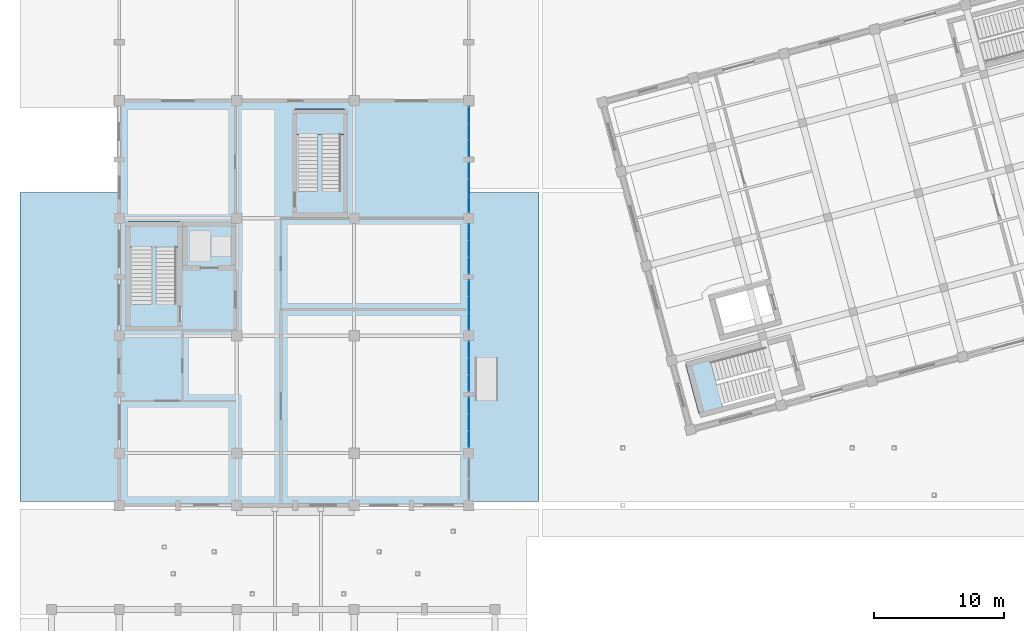
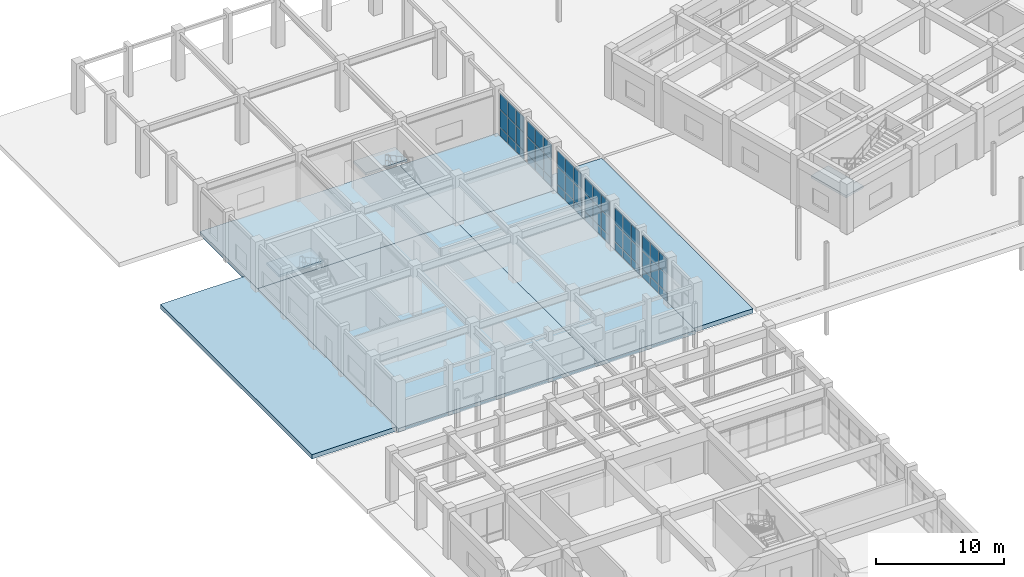
# One storey, part 30 of 47: 54 plates, 9 slabs, 9 elements without a shape of their own.
"""IFC4 building model written with IfcOpenShell, lengths in metres."""

import ifcopenshell
import ifcopenshell.guid

model = None  # the IFC model being written
_history = None  # IfcOwnerHistory: only IFC2X3 demands one
_inside = {}  # id of a spatial element -> (the spatial element, [elements in it])
_under = {}  # id of a project, library or spatial element -> (it, [spatial elements below it])
_declared = {}  # id of a project -> (the project, [libraries it declares])
_typed = {}  # id of a type object -> (the type object, [elements of that type])
_made_of = {}  # id of a material, layer set ... -> (it, [elements and type objects made of it])


def new_model(schema):
    """Start an empty IFC model of exactly this schema.

    Asked for "IFC4X3", IfcOpenShell would pick the latest addendum, in which some entities
    have other attributes; the version numbers below select the first issue.
    IFC2X3 requires an IfcOwnerHistory on every rooted entity: one is made here for all.
    """
    global model, _history
    if schema == "IFC4X3":
        model = ifcopenshell.file(schema_version=(4, 3, 0, 0))
    else:
        model = ifcopenshell.file(schema=schema)
    _inside.clear()
    _under.clear()
    _declared.clear()
    _typed.clear()
    _made_of.clear()
    _history = None
    if model.schema == "IFC2X3":
        org = make("IfcOrganization", Name="unknown")
        user = make(
            "IfcPersonAndOrganization",
            ThePerson=make("IfcPerson", FamilyName="unknown"),
            TheOrganization=org,
        )
        app = make(
            "IfcApplication",
            ApplicationDeveloper=org,
            Version="unknown",
            ApplicationFullName="unknown",
            ApplicationIdentifier="unknown",
        )
        _history = make(
            "IfcOwnerHistory",
            OwningUser=user,
            OwningApplication=app,
            ChangeAction="ADDED",
            CreationDate=0,
        )
    return model


def make(cls, **values):
    """One entity of the class cls with the attributes given. An attribute that is None is left unset."""
    return model.create_entity(
        cls, **{name: value for name, value in values.items() if value is not None}
    )


def rooted(cls, **values):
    """An entity with a GlobalId (a new one), such as an element, a storey or a relation."""
    return make(cls, GlobalId=ifcopenshell.guid.new(), OwnerHistory=_history, **values)


def si_unit(unit_type, name, prefix=None):
    """IfcSIUnit, for example si_unit("LENGTHUNIT", "METRE", prefix="MILLI")."""
    return make("IfcSIUnit", UnitType=unit_type, Prefix=prefix, Name=name)


def assignment(units):
    """IfcUnitAssignment: the units of a project."""
    return None if units is None else make("IfcUnitAssignment", Units=units)


def point(xyz):
    """IfcCartesianPoint."""
    return None if xyz is None else make("IfcCartesianPoint", Coordinates=xyz)


def direction(xyz):
    """IfcDirection."""
    return None if xyz is None else make("IfcDirection", DirectionRatios=xyz)


def frame(location, z_axis=None, x_axis=None):
    """IfcAxis2Placement3D, a coordinate frame: its origin and axes. An axis left out is left unset."""
    return make(
        "IfcAxis2Placement3D",
        Location=point(location),
        Axis=direction(z_axis),
        RefDirection=direction(x_axis),
    )


def frame_2d(location, x_axis=None):
    """IfcAxis2Placement2D, a coordinate frame in the plane: its origin and x axis."""
    return make(
        "IfcAxis2Placement2D", Location=point(location), RefDirection=direction(x_axis)
    )


def origin():
    """The frame at (0, 0, 0) with its axes left unset."""
    return frame((0.0, 0.0, 0.0))


def origin_2d():
    """The frame at (0, 0) in the plane with its x axis left unset."""
    return frame_2d((0.0, 0.0))


def place(relative_to, where):
    """IfcLocalPlacement: puts the frame where relative to a parent placement (None: the world)."""
    return make(
        "IfcLocalPlacement", PlacementRelTo=relative_to, RelativePlacement=where
    )


def context(
    kind, dimensions, precision=None, world=None, true_north=None, identifier=None
):
    """IfcGeometricRepresentationContext, for example the 3D "Model" context."""
    return make(
        "IfcGeometricRepresentationContext",
        ContextIdentifier=identifier,
        ContextType=kind,
        CoordinateSpaceDimension=dimensions,
        Precision=precision,
        WorldCoordinateSystem=world,
        TrueNorth=true_north,
    )


def subcontext(parent, identifier, kind, view, scale=None):
    """IfcGeometricRepresentationSubContext, for example "Body" below "Model"."""
    return make(
        "IfcGeometricRepresentationSubContext",
        ContextIdentifier=identifier,
        ContextType=kind,
        ParentContext=parent,
        TargetScale=scale,
        TargetView=view,
    )


def project(units=None, contexts=None):
    """IfcProject with its units and contexts."""
    return rooted(
        "IfcProject",
        Name="project",
        RepresentationContexts=contexts,
        UnitsInContext=assignment(units),
    )


def spatial(cls, under=None, at=None, **own):
    """A site, building, storey or space (cls), placed at a placement, below another one or the project."""
    s = rooted(cls, ObjectPlacement=at, **own)
    if under is not None:
        _under.setdefault(under.id(), (under, []))[1].append(s)
    return s


def polyline(points):
    """IfcPolyline through the points."""
    return make("IfcPolyline", Points=[point(p) for p in points])


def profile(cls, at=None, kind="AREA", **sizes):
    """A parametric profile (cls). Its sizes go by their IFC names, for example OverallWidth=200.0."""
    return make(cls, ProfileType=kind, Position=at, **sizes)


def rectangle(**sizes):
    """IfcRectangleProfileDef."""
    return profile("IfcRectangleProfileDef", **sizes)


def outline(outer, holes=None, kind="AREA"):
    """IfcArbitraryClosedProfileDef: a profile drawn as a closed curve; with holes, ...WithVoids."""
    if holes is None:
        return make("IfcArbitraryClosedProfileDef", ProfileType=kind, OuterCurve=outer)
    return make(
        "IfcArbitraryProfileDefWithVoids",
        ProfileType=kind,
        OuterCurve=outer,
        InnerCurves=holes,
    )


def extrude(swept, where, along, depth):
    """IfcExtrudedAreaSolid: the profile swept, set in the frame where, extruded along a direction by depth."""
    return make(
        "IfcExtrudedAreaSolid",
        SweptArea=swept,
        Position=where,
        ExtrudedDirection=direction(along),
        Depth=depth,
    )


def shape(context_of_items, identifier, shape_type, items):
    """IfcShapeRepresentation: the items that make up one representation, for example the "Body"."""
    return make(
        "IfcShapeRepresentation",
        ContextOfItems=context_of_items,
        RepresentationIdentifier=identifier,
        RepresentationType=shape_type,
        Items=items,
    )


def material(Name=None, Category=None):
    """IfcMaterial."""
    return make("IfcMaterial", Name=Name, Category=Category)


def layer(
    of_material, thickness, ventilated=None, Name=None, Category=None, Priority=None
):
    """IfcMaterialLayer: one layer of a wall or slab, of a material (None: an air gap)."""
    return make(
        "IfcMaterialLayer",
        Material=of_material,
        LayerThickness=thickness,
        IsVentilated=ventilated,
        Name=Name,
        Category=Category,
        Priority=Priority,
    )


def layer_set(layers, Name=None):
    """IfcMaterialLayerSet."""
    return make("IfcMaterialLayerSet", MaterialLayers=layers, LayerSetName=Name)


def made_of(thing, what):
    """Note that an element or type object is made of a material, layer set ...; save() writes the relation."""
    if what is not None:
        _made_of.setdefault(what.id(), (what, []))[1].append(thing)
    return thing


def type_object(cls, material=None, **own):
    """A type object (cls), such as IfcWallType, which elements share."""
    return made_of(rooted(cls, **own), material)


def element(
    cls,
    number,
    at=None,
    inside=None,
    cuts=None,
    type_object=None,
    material=None,
    context=None,
    identifier="Body",
    shape_type=None,
    held_by="IfcProductDefinitionShape",
    body=None,
    shapes=None,
    **own,
):
    """One element of the class cls, such as IfcWall. Its Tag is "e" and its number.

    at: its placement. inside: the storey or other place that contains it. cuts: it is an
    opening in that element (IfcRelVoidsElement). A single representation is given by context,
    identifier, shape_type and body (its items); several are given by shapes. held_by: the class
    of the entity that holds the representations. save() writes the other relations.
    """
    e = rooted(cls, Tag="e%d" % number, ObjectPlacement=at, **own)
    if body is not None:
        shapes = [shape(context, identifier, shape_type, body)]
    if shapes is not None:
        e.Representation = make(held_by, Representations=shapes)
    if inside is not None:
        _inside.setdefault(inside.id(), (inside, []))[1].append(e)
    if cuts is not None:
        rooted(
            "IfcRelVoidsElement", RelatingBuildingElement=cuts, RelatedOpeningElement=e
        )
    if type_object is not None:
        _typed.setdefault(type_object.id(), (type_object, []))[1].append(e)
    return made_of(e, material)


def aggregate(whole, parts):
    """IfcRelAggregates: a whole, such as a stair, and the parts it consists of."""
    return rooted("IfcRelAggregates", RelatingObject=whole, RelatedObjects=parts)


def save(model, path):
    """Write the relations noted so far, then the file.

    IfcRelAggregates (storeys below a building ...), IfcRelContainedInSpatialStructure (elements
    in a storey), IfcRelDefinesByType, IfcRelAssociatesMaterial and IfcRelDeclares: one each for
    every whole, place, type object, material and project.
    """
    for whole, parts in _under.values():
        aggregate(whole, parts)
    for where, things in _inside.values():
        rooted(
            "IfcRelContainedInSpatialStructure",
            RelatedElements=things,
            RelatingStructure=where,
        )
    for kind, things in _typed.values():
        rooted("IfcRelDefinesByType", RelatedObjects=things, RelatingType=kind)
    for what, things in _made_of.values():
        rooted("IfcRelAssociatesMaterial", RelatedObjects=things, RelatingMaterial=what)
    for by, libraries in _declared.values():
        rooted("IfcRelDeclares", RelatingContext=by, RelatedDefinitions=libraries)
    model.write(path)


model = new_model("IFC4")

# Units and contexts
model_context = context("Model", 3, precision=1e-05, world=origin(), true_north=direction((0.0, 1.0)))
body_context = subcontext(model_context, "Body", "Model", "MODEL_VIEW")
ifc_project = project(units=[si_unit("LENGTHUNIT", "METRE"), si_unit("AREAUNIT", "SQUARE_METRE"), si_unit("VOLUMEUNIT", "CUBIC_METRE"), si_unit("PLANEANGLEUNIT", "RADIAN"), si_unit("MASSUNIT", "GRAM", prefix="KILO")], contexts=[model_context])

# Site, building, storey
site_placement = place(None, origin())
site = spatial("IfcSite", under=ifc_project, at=site_placement, CompositionType="ELEMENT")
building_placement = place(site_placement, origin())
building = spatial("IfcBuilding", under=site, at=building_placement, Name="Ventoquebrada Cableway Terminal", CompositionType="ELEMENT")
storey_placement = place(building_placement, origin())
storey = spatial("IfcBuildingStorey", under=building, at=storey_placement, Name="L00", CompositionType="ELEMENT", Elevation=0.0)

# Curtain wall, plates
ifc_material_1 = material(Name="Anodized thermally-broken aluminium", Category="aluminium")
ifc_layer_1 = layer(ifc_material_1, 0.159912109375)
ifc_layer_set_1 = layer_set([ifc_layer_1], Name="Anodized thermally-broken aluminium")
curtain_wall_type = type_object("IfcCurtainWallType", Name="CW-T13", PredefinedType="USERDEFINED", material=ifc_layer_set_1)
curtain_wall_1_placement = place(storey_placement, origin())
curtain_wall_1 = element("IfcCurtainWall", 1, at=curtain_wall_1_placement, inside=storey, type_object=curtain_wall_type, Name="Unitised glazed curtain wall CW-024", ObjectType="UNITISED CURTAIN WALL", PredefinedType="USERDEFINED")
ifc_material_2 = material(Name="Double low-e laminated safety glazing", Category="glass")
ifc_layer_2 = layer(ifc_material_2, 0.031982421875)
ifc_layer_set_2 = layer_set([ifc_layer_2], Name="Double low-e laminated safety glazing")
plate_type_1 = type_object("IfcPlateType", Name="CWP-GL1", PredefinedType="CURTAIN_PANEL", material=ifc_layer_set_2)
plate_1_placement = place(storey_placement, frame((35.0, 69.071044921875, 2.58837890625), z_axis=(0.0, 0.0, 1.0), x_axis=(0.0, 1.0, 0.0)))
plate_1 = element("IfcPlate", 2, at=plate_1_placement, type_object=plate_type_1, Name="Vision glazing panel PN-0236", PredefinedType="CURTAIN_PANEL", context=body_context, shape_type="SweptSolid", body=[
    extrude(rectangle(XDim=1.212890625, YDim=0.031982421875, at=origin_2d()), origin(), (0.0, 0.0, 1.0), 1.487060546875),
])
plate_2_placement = place(storey_placement, frame((35.0, 70.35009765625, 0.87451171875), z_axis=(0.0, 0.0, 1.0), x_axis=(0.0, 1.0, 0.0)))
plate_2 = element("IfcPlate", 3, at=plate_2_placement, type_object=plate_type_1, Name="Vision glazing panel PN-0238", PredefinedType="CURTAIN_PANEL", context=body_context, shape_type="SweptSolid", body=[
    extrude(rectangle(XDim=1.248046875, YDim=0.031982421875, at=origin_2d()), origin(), (0.0, 0.0, 1.0), 1.6650390625),
])
plate_3_placement = place(storey_placement, frame((35.0, 71.6298828125, 2.58837890625), z_axis=(0.0, 0.0, 1.0), x_axis=(0.0, 1.0, 0.0)))
plate_3 = element("IfcPlate", 4, at=plate_3_placement, type_object=plate_type_1, Name="Vision glazing panel PN-0242", PredefinedType="CURTAIN_PANEL", context=body_context, shape_type="SweptSolid", body=[
    extrude(rectangle(XDim=1.212890625, YDim=0.031982421875, at=origin_2d()), origin(), (0.0, 0.0, 1.0), 1.487060546875),
])

curtain_wall_2_placement = place(storey_placement, origin())
curtain_wall_2 = element("IfcCurtainWall", 5, at=curtain_wall_2_placement, inside=storey, type_object=curtain_wall_type, Name="Unitised glazed curtain wall CW-025", ObjectType="UNITISED CURTAIN WALL", PredefinedType="USERDEFINED")
plate_4_placement = place(storey_placement, frame((35.0, 73.3701171875, 2.58837890625), z_axis=(0.0, 0.0, 1.0), x_axis=(0.0, 1.0, 0.0)))
plate_4 = element("IfcPlate", 6, at=plate_4_placement, type_object=plate_type_1, Name="Vision glazing panel PN-0245", PredefinedType="CURTAIN_PANEL", context=body_context, shape_type="SweptSolid", body=[
    extrude(rectangle(XDim=1.212890625, YDim=0.031982421875, at=origin_2d()), origin(), (0.0, 0.0, 1.0), 1.487060546875),
])
plate_5_placement = place(storey_placement, frame((35.0, 74.64990234375, 0.87451171875), z_axis=(0.0, 0.0, 1.0), x_axis=(0.0, 1.0, 0.0)))
plate_5 = element("IfcPlate", 7, at=plate_5_placement, type_object=plate_type_1, Name="Vision glazing panel PN-0247", PredefinedType="CURTAIN_PANEL", context=body_context, shape_type="SweptSolid", body=[
    extrude(rectangle(XDim=1.248046875, YDim=0.031982421875, at=origin_2d()), origin(), (0.0, 0.0, 1.0), 1.6650390625),
])
plate_6_placement = place(storey_placement, frame((35.0, 75.928955078125, 2.58837890625), z_axis=(0.0, 0.0, 1.0), x_axis=(0.0, 1.0, 0.0)))
plate_6 = element("IfcPlate", 8, at=plate_6_placement, type_object=plate_type_1, Name="Vision glazing panel PN-0251", PredefinedType="CURTAIN_PANEL", context=body_context, shape_type="SweptSolid", body=[
    extrude(rectangle(XDim=1.212890625, YDim=0.031982421875, at=origin_2d()), origin(), (0.0, 0.0, 1.0), 1.487060546875),
])

curtain_wall_3_placement = place(storey_placement, origin())
curtain_wall_3 = element("IfcCurtainWall", 9, at=curtain_wall_3_placement, inside=storey, type_object=curtain_wall_type, Name="Unitised glazed curtain wall CW-026", ObjectType="UNITISED CURTAIN WALL", PredefinedType="USERDEFINED")
plate_7_placement = place(storey_placement, frame((35.0, 78.071044921875, 2.58837890625), z_axis=(0.0, 0.0, 1.0), x_axis=(0.0, 1.0, 0.0)))
plate_7 = element("IfcPlate", 10, at=plate_7_placement, type_object=plate_type_1, Name="Vision glazing panel PN-0254", PredefinedType="CURTAIN_PANEL", context=body_context, shape_type="SweptSolid", body=[
    extrude(rectangle(XDim=1.212890625, YDim=0.031982421875, at=origin_2d()), origin(), (0.0, 0.0, 1.0), 1.487060546875),
])
plate_8_placement = place(storey_placement, frame((35.0, 79.35009765625, 0.87451171875), z_axis=(0.0, 0.0, 1.0), x_axis=(0.0, 1.0, 0.0)))
plate_8 = element("IfcPlate", 11, at=plate_8_placement, type_object=plate_type_1, Name="Vision glazing panel PN-0256", PredefinedType="CURTAIN_PANEL", context=body_context, shape_type="SweptSolid", body=[
    extrude(rectangle(XDim=1.248046875, YDim=0.031982421875, at=origin_2d()), origin(), (0.0, 0.0, 1.0), 1.6650390625),
])
plate_9_placement = place(storey_placement, frame((35.0, 80.6298828125, 2.58837890625), z_axis=(0.0, 0.0, 1.0), x_axis=(0.0, 1.0, 0.0)))
plate_9 = element("IfcPlate", 12, at=plate_9_placement, type_object=plate_type_1, Name="Vision glazing panel PN-0260", PredefinedType="CURTAIN_PANEL", context=body_context, shape_type="SweptSolid", body=[
    extrude(rectangle(XDim=1.212890625, YDim=0.031982421875, at=origin_2d()), origin(), (0.0, 0.0, 1.0), 1.487060546875),
])

curtain_wall_4_placement = place(storey_placement, origin())
curtain_wall_4 = element("IfcCurtainWall", 13, at=curtain_wall_4_placement, inside=storey, type_object=curtain_wall_type, Name="Unitised glazed curtain wall CW-027", ObjectType="UNITISED CURTAIN WALL", PredefinedType="USERDEFINED")
plate_10_placement = place(storey_placement, frame((35.0, 82.3701171875, 2.58837890625), z_axis=(0.0, 0.0, 1.0), x_axis=(0.0, 1.0, 0.0)))
plate_10 = element("IfcPlate", 14, at=plate_10_placement, type_object=plate_type_1, Name="Vision glazing panel PN-0263", PredefinedType="CURTAIN_PANEL", context=body_context, shape_type="SweptSolid", body=[
    extrude(rectangle(XDim=1.212890625, YDim=0.031982421875, at=origin_2d()), origin(), (0.0, 0.0, 1.0), 1.487060546875),
])
plate_11_placement = place(storey_placement, frame((35.0, 83.64990234375, 0.87451171875), z_axis=(0.0, 0.0, 1.0), x_axis=(0.0, 1.0, 0.0)))
plate_11 = element("IfcPlate", 15, at=plate_11_placement, type_object=plate_type_1, Name="Vision glazing panel PN-0265", PredefinedType="CURTAIN_PANEL", context=body_context, shape_type="SweptSolid", body=[
    extrude(rectangle(XDim=1.248046875, YDim=0.031982421875, at=origin_2d()), origin(), (0.0, 0.0, 1.0), 1.6650390625),
])
plate_12_placement = place(storey_placement, frame((35.0, 84.928955078125, 2.58837890625), z_axis=(0.0, 0.0, 1.0), x_axis=(0.0, 1.0, 0.0)))
plate_12 = element("IfcPlate", 16, at=plate_12_placement, type_object=plate_type_1, Name="Vision glazing panel PN-0269", PredefinedType="CURTAIN_PANEL", context=body_context, shape_type="SweptSolid", body=[
    extrude(rectangle(XDim=1.212890625, YDim=0.031982421875, at=origin_2d()), origin(), (0.0, 0.0, 1.0), 1.487060546875),
])

curtain_wall_5_placement = place(storey_placement, origin())
curtain_wall_5 = element("IfcCurtainWall", 17, at=curtain_wall_5_placement, inside=storey, type_object=curtain_wall_type, Name="Unitised glazed curtain wall CW-028", ObjectType="UNITISED CURTAIN WALL", PredefinedType="USERDEFINED")
plate_13_placement = place(storey_placement, frame((35.0, 87.071044921875, 2.58837890625), z_axis=(0.0, 0.0, 1.0), x_axis=(0.0, 1.0, 0.0)))
plate_13 = element("IfcPlate", 18, at=plate_13_placement, type_object=plate_type_1, Name="Vision glazing panel PN-0272", PredefinedType="CURTAIN_PANEL", context=body_context, shape_type="SweptSolid", body=[
    extrude(rectangle(XDim=1.212890625, YDim=0.031982421875, at=origin_2d()), origin(), (0.0, 0.0, 1.0), 1.487060546875),
])
plate_14_placement = place(storey_placement, frame((35.0, 88.35009765625, 0.87451171875), z_axis=(0.0, 0.0, 1.0), x_axis=(0.0, 1.0, 0.0)))
plate_14 = element("IfcPlate", 19, at=plate_14_placement, type_object=plate_type_1, Name="Vision glazing panel PN-0274", PredefinedType="CURTAIN_PANEL", context=body_context, shape_type="SweptSolid", body=[
    extrude(rectangle(XDim=1.248046875, YDim=0.031982421875, at=origin_2d()), origin(), (0.0, 0.0, 1.0), 1.6650390625),
])
plate_15_placement = place(storey_placement, frame((35.0, 89.6298828125, 2.58837890625), z_axis=(0.0, 0.0, 1.0), x_axis=(0.0, 1.0, 0.0)))
plate_15 = element("IfcPlate", 20, at=plate_15_placement, type_object=plate_type_1, Name="Vision glazing panel PN-0278", PredefinedType="CURTAIN_PANEL", context=body_context, shape_type="SweptSolid", body=[
    extrude(rectangle(XDim=1.212890625, YDim=0.031982421875, at=origin_2d()), origin(), (0.0, 0.0, 1.0), 1.487060546875),
])

curtain_wall_6_placement = place(storey_placement, origin())
curtain_wall_6 = element("IfcCurtainWall", 21, at=curtain_wall_6_placement, inside=storey, type_object=curtain_wall_type, Name="Unitised glazed curtain wall CW-029", ObjectType="UNITISED CURTAIN WALL", PredefinedType="USERDEFINED")
plate_16_placement = place(storey_placement, frame((35.0, 91.3701171875, 2.58837890625), z_axis=(0.0, 0.0, 1.0), x_axis=(0.0, 1.0, 0.0)))
plate_16 = element("IfcPlate", 22, at=plate_16_placement, type_object=plate_type_1, Name="Vision glazing panel PN-0281", PredefinedType="CURTAIN_PANEL", context=body_context, shape_type="SweptSolid", body=[
    extrude(rectangle(XDim=1.212890625, YDim=0.031982421875, at=origin_2d()), origin(), (0.0, 0.0, 1.0), 1.487060546875),
])
plate_17_placement = place(storey_placement, frame((35.0, 92.64990234375, 0.87451171875), z_axis=(0.0, 0.0, 1.0), x_axis=(0.0, 1.0, 0.0)))
plate_17 = element("IfcPlate", 23, at=plate_17_placement, type_object=plate_type_1, Name="Vision glazing panel PN-0283", PredefinedType="CURTAIN_PANEL", context=body_context, shape_type="SweptSolid", body=[
    extrude(rectangle(XDim=1.248046875, YDim=0.031982421875, at=origin_2d()), origin(), (0.0, 0.0, 1.0), 1.6650390625),
])
plate_18_placement = place(storey_placement, frame((35.0, 93.928955078125, 2.58837890625), z_axis=(0.0, 0.0, 1.0), x_axis=(0.0, 1.0, 0.0)))
plate_18 = element("IfcPlate", 24, at=plate_18_placement, type_object=plate_type_1, Name="Vision glazing panel PN-0287", PredefinedType="CURTAIN_PANEL", context=body_context, shape_type="SweptSolid", body=[
    extrude(rectangle(XDim=1.212890625, YDim=0.031982421875, at=origin_2d()), origin(), (0.0, 0.0, 1.0), 1.487060546875),
])

# Plate
ifc_layer_3 = layer(ifc_material_2, 0.0380859375)
ifc_layer_set_3 = layer_set([ifc_layer_3], Name="Double low-e laminated safety glazing")
plate_type_2 = type_object("IfcPlateType", Name="CWP-GL2", PredefinedType="CURTAIN_PANEL", material=ifc_layer_set_3)
plate_19_placement = place(storey_placement, frame((35.0, 69.071044921875, 0.87451171875), z_axis=(0.0, 0.0, 1.0), x_axis=(0.0, 1.0, 0.0)))
plate_19 = element("IfcPlate", 25, at=plate_19_placement, type_object=plate_type_2, Name="Vision glazing panel PN-0235", PredefinedType="CURTAIN_PANEL", context=body_context, shape_type="SweptSolid", body=[
    extrude(rectangle(XDim=1.212890625, YDim=0.0380859375, at=origin_2d()), origin(), (0.0, 0.0, 1.0), 1.6650390625),
])

plate_20_placement = place(storey_placement, frame((35.0, 70.35009765625, 2.58837890625), z_axis=(0.0, 0.0, 1.0), x_axis=(0.0, 1.0, 0.0)))
plate_20 = element("IfcPlate", 26, at=plate_20_placement, type_object=plate_type_2, Name="Vision glazing panel PN-0239", PredefinedType="CURTAIN_PANEL", context=body_context, shape_type="SweptSolid", body=[
    extrude(rectangle(XDim=1.248046875, YDim=0.0380859375, at=origin_2d()), origin(), (0.0, 0.0, 1.0), 1.487060546875),
])

plate_21_placement = place(storey_placement, frame((35.0, 71.6298828125, 0.87451171875), z_axis=(0.0, 0.0, 1.0), x_axis=(0.0, 1.0, 0.0)))
plate_21 = element("IfcPlate", 27, at=plate_21_placement, type_object=plate_type_2, Name="Vision glazing panel PN-0241", PredefinedType="CURTAIN_PANEL", context=body_context, shape_type="SweptSolid", body=[
    extrude(rectangle(XDim=1.212890625, YDim=0.0380859375, at=origin_2d()), origin(), (0.0, 0.0, 1.0), 1.6650390625),
])

plate_22_placement = place(storey_placement, frame((35.0, 73.3701171875, 0.87451171875), z_axis=(0.0, 0.0, 1.0), x_axis=(0.0, 1.0, 0.0)))
plate_22 = element("IfcPlate", 28, at=plate_22_placement, type_object=plate_type_2, Name="Vision glazing panel PN-0244", PredefinedType="CURTAIN_PANEL", context=body_context, shape_type="SweptSolid", body=[
    extrude(rectangle(XDim=1.212890625, YDim=0.0380859375, at=origin_2d()), origin(), (0.0, 0.0, 1.0), 1.6650390625),
])

plate_23_placement = place(storey_placement, frame((35.0, 74.64990234375, 2.58837890625), z_axis=(0.0, 0.0, 1.0), x_axis=(0.0, 1.0, 0.0)))
plate_23 = element("IfcPlate", 29, at=plate_23_placement, type_object=plate_type_2, Name="Vision glazing panel PN-0248", PredefinedType="CURTAIN_PANEL", context=body_context, shape_type="SweptSolid", body=[
    extrude(rectangle(XDim=1.248046875, YDim=0.0380859375, at=origin_2d()), origin(), (0.0, 0.0, 1.0), 1.487060546875),
])

plate_24_placement = place(storey_placement, frame((35.0, 75.928955078125, 0.87451171875), z_axis=(0.0, 0.0, 1.0), x_axis=(0.0, 1.0, 0.0)))
plate_24 = element("IfcPlate", 30, at=plate_24_placement, type_object=plate_type_2, Name="Vision glazing panel PN-0250", PredefinedType="CURTAIN_PANEL", context=body_context, shape_type="SweptSolid", body=[
    extrude(rectangle(XDim=1.212890625, YDim=0.0380859375, at=origin_2d()), origin(), (0.0, 0.0, 1.0), 1.6650390625),
])

plate_25_placement = place(storey_placement, frame((35.0, 78.071044921875, 0.87451171875), z_axis=(0.0, 0.0, 1.0), x_axis=(0.0, 1.0, 0.0)))
plate_25 = element("IfcPlate", 31, at=plate_25_placement, type_object=plate_type_2, Name="Vision glazing panel PN-0253", PredefinedType="CURTAIN_PANEL", context=body_context, shape_type="SweptSolid", body=[
    extrude(rectangle(XDim=1.212890625, YDim=0.0380859375, at=origin_2d()), origin(), (0.0, 0.0, 1.0), 1.6650390625),
])

plate_26_placement = place(storey_placement, frame((35.0, 79.35009765625, 2.58837890625), z_axis=(0.0, 0.0, 1.0), x_axis=(0.0, 1.0, 0.0)))
plate_26 = element("IfcPlate", 32, at=plate_26_placement, type_object=plate_type_2, Name="Vision glazing panel PN-0257", PredefinedType="CURTAIN_PANEL", context=body_context, shape_type="SweptSolid", body=[
    extrude(rectangle(XDim=1.248046875, YDim=0.0380859375, at=origin_2d()), origin(), (0.0, 0.0, 1.0), 1.487060546875),
])

plate_27_placement = place(storey_placement, frame((35.0, 80.6298828125, 0.87451171875), z_axis=(0.0, 0.0, 1.0), x_axis=(0.0, 1.0, 0.0)))
plate_27 = element("IfcPlate", 33, at=plate_27_placement, type_object=plate_type_2, Name="Vision glazing panel PN-0259", PredefinedType="CURTAIN_PANEL", context=body_context, shape_type="SweptSolid", body=[
    extrude(rectangle(XDim=1.212890625, YDim=0.0380859375, at=origin_2d()), origin(), (0.0, 0.0, 1.0), 1.6650390625),
])

plate_28_placement = place(storey_placement, frame((35.0, 82.3701171875, 0.87451171875), z_axis=(0.0, 0.0, 1.0), x_axis=(0.0, 1.0, 0.0)))
plate_28 = element("IfcPlate", 34, at=plate_28_placement, type_object=plate_type_2, Name="Vision glazing panel PN-0262", PredefinedType="CURTAIN_PANEL", context=body_context, shape_type="SweptSolid", body=[
    extrude(rectangle(XDim=1.212890625, YDim=0.0380859375, at=origin_2d()), origin(), (0.0, 0.0, 1.0), 1.6650390625),
])

plate_29_placement = place(storey_placement, frame((35.0, 83.64990234375, 2.58837890625), z_axis=(0.0, 0.0, 1.0), x_axis=(0.0, 1.0, 0.0)))
plate_29 = element("IfcPlate", 35, at=plate_29_placement, type_object=plate_type_2, Name="Vision glazing panel PN-0266", PredefinedType="CURTAIN_PANEL", context=body_context, shape_type="SweptSolid", body=[
    extrude(rectangle(XDim=1.248046875, YDim=0.0380859375, at=origin_2d()), origin(), (0.0, 0.0, 1.0), 1.487060546875),
])

plate_30_placement = place(storey_placement, frame((35.0, 84.928955078125, 0.87451171875), z_axis=(0.0, 0.0, 1.0), x_axis=(0.0, 1.0, 0.0)))
plate_30 = element("IfcPlate", 36, at=plate_30_placement, type_object=plate_type_2, Name="Vision glazing panel PN-0268", PredefinedType="CURTAIN_PANEL", context=body_context, shape_type="SweptSolid", body=[
    extrude(rectangle(XDim=1.212890625, YDim=0.0380859375, at=origin_2d()), origin(), (0.0, 0.0, 1.0), 1.6650390625),
])

plate_31_placement = place(storey_placement, frame((35.0, 87.071044921875, 0.87451171875), z_axis=(0.0, 0.0, 1.0), x_axis=(0.0, 1.0, 0.0)))
plate_31 = element("IfcPlate", 37, at=plate_31_placement, type_object=plate_type_2, Name="Vision glazing panel PN-0271", PredefinedType="CURTAIN_PANEL", context=body_context, shape_type="SweptSolid", body=[
    extrude(rectangle(XDim=1.212890625, YDim=0.0380859375, at=origin_2d()), origin(), (0.0, 0.0, 1.0), 1.6650390625),
])

plate_32_placement = place(storey_placement, frame((35.0, 88.35009765625, 2.58837890625), z_axis=(0.0, 0.0, 1.0), x_axis=(0.0, 1.0, 0.0)))
plate_32 = element("IfcPlate", 38, at=plate_32_placement, type_object=plate_type_2, Name="Vision glazing panel PN-0275", PredefinedType="CURTAIN_PANEL", context=body_context, shape_type="SweptSolid", body=[
    extrude(rectangle(XDim=1.248046875, YDim=0.0380859375, at=origin_2d()), origin(), (0.0, 0.0, 1.0), 1.487060546875),
])

plate_33_placement = place(storey_placement, frame((35.0, 89.6298828125, 0.87451171875), z_axis=(0.0, 0.0, 1.0), x_axis=(0.0, 1.0, 0.0)))
plate_33 = element("IfcPlate", 39, at=plate_33_placement, type_object=plate_type_2, Name="Vision glazing panel PN-0277", PredefinedType="CURTAIN_PANEL", context=body_context, shape_type="SweptSolid", body=[
    extrude(rectangle(XDim=1.212890625, YDim=0.0380859375, at=origin_2d()), origin(), (0.0, 0.0, 1.0), 1.6650390625),
])

plate_34_placement = place(storey_placement, frame((35.0, 91.3701171875, 0.87451171875), z_axis=(0.0, 0.0, 1.0), x_axis=(0.0, 1.0, 0.0)))
plate_34 = element("IfcPlate", 40, at=plate_34_placement, type_object=plate_type_2, Name="Vision glazing panel PN-0280", PredefinedType="CURTAIN_PANEL", context=body_context, shape_type="SweptSolid", body=[
    extrude(rectangle(XDim=1.212890625, YDim=0.0380859375, at=origin_2d()), origin(), (0.0, 0.0, 1.0), 1.6650390625),
])

plate_35_placement = place(storey_placement, frame((35.0, 92.64990234375, 2.58837890625), z_axis=(0.0, 0.0, 1.0), x_axis=(0.0, 1.0, 0.0)))
plate_35 = element("IfcPlate", 41, at=plate_35_placement, type_object=plate_type_2, Name="Vision glazing panel PN-0284", PredefinedType="CURTAIN_PANEL", context=body_context, shape_type="SweptSolid", body=[
    extrude(rectangle(XDim=1.248046875, YDim=0.0380859375, at=origin_2d()), origin(), (0.0, 0.0, 1.0), 1.487060546875),
])

plate_36_placement = place(storey_placement, frame((35.0, 93.928955078125, 0.87451171875), z_axis=(0.0, 0.0, 1.0), x_axis=(0.0, 1.0, 0.0)))
plate_36 = element("IfcPlate", 42, at=plate_36_placement, type_object=plate_type_2, Name="Vision glazing panel PN-0286", PredefinedType="CURTAIN_PANEL", context=body_context, shape_type="SweptSolid", body=[
    extrude(rectangle(XDim=1.212890625, YDim=0.0380859375, at=origin_2d()), origin(), (0.0, 0.0, 1.0), 1.6650390625),
])

ifc_material_3 = material(Name="Insulated aluminium spandrel cassette", Category="aluminium")
ifc_layer_4 = layer(ifc_material_3, 0.044921875)
ifc_layer_set_4 = layer_set([ifc_layer_4], Name="Insulated aluminium spandrel cassette")
plate_type_3 = type_object("IfcPlateType", Name="CWP-SP1", PredefinedType="CURTAIN_PANEL", material=ifc_layer_set_4)
plate_37_placement = place(storey_placement, frame((35.0, 69.071044921875, 0.06005859375), z_axis=(0.0, 0.0, 1.0), x_axis=(0.0, 1.0, 0.0)))
plate_37 = element("IfcPlate", 43, at=plate_37_placement, type_object=plate_type_3, Name="Insulated spandrel panel PN-0234", PredefinedType="CURTAIN_PANEL", context=body_context, shape_type="SweptSolid", body=[
    extrude(rectangle(XDim=1.212890625, YDim=0.044921875, at=origin_2d()), origin(), (0.0, 0.0, 1.0), 0.76611328125),
])

plate_38_placement = place(storey_placement, frame((35.0, 70.35009765625, 0.06005859375), z_axis=(0.0, 0.0, 1.0), x_axis=(0.0, 1.0, 0.0)))
plate_38 = element("IfcPlate", 44, at=plate_38_placement, type_object=plate_type_3, Name="Insulated spandrel panel PN-0237", PredefinedType="CURTAIN_PANEL", context=body_context, shape_type="SweptSolid", body=[
    extrude(rectangle(XDim=1.248046875, YDim=0.044921875, at=origin_2d()), origin(), (0.0, 0.0, 1.0), 0.76611328125),
])

plate_39_placement = place(storey_placement, frame((35.0, 71.6298828125, 0.06005859375), z_axis=(0.0, 0.0, 1.0), x_axis=(0.0, 1.0, 0.0)))
plate_39 = element("IfcPlate", 45, at=plate_39_placement, type_object=plate_type_3, Name="Insulated spandrel panel PN-0240", PredefinedType="CURTAIN_PANEL", context=body_context, shape_type="SweptSolid", body=[
    extrude(rectangle(XDim=1.212890625, YDim=0.044921875, at=origin_2d()), origin(), (0.0, 0.0, 1.0), 0.76611328125),
])

aggregate(curtain_wall_1, [plate_37, plate_19, plate_1, plate_38, plate_2, plate_20, plate_39, plate_21, plate_3])

plate_40_placement = place(storey_placement, frame((35.0, 73.3701171875, 0.06005859375), z_axis=(0.0, 0.0, 1.0), x_axis=(0.0, 1.0, 0.0)))
plate_40 = element("IfcPlate", 46, at=plate_40_placement, type_object=plate_type_3, Name="Insulated spandrel panel PN-0243", PredefinedType="CURTAIN_PANEL", context=body_context, shape_type="SweptSolid", body=[
    extrude(rectangle(XDim=1.212890625, YDim=0.044921875, at=origin_2d()), origin(), (0.0, 0.0, 1.0), 0.76611328125),
])

plate_41_placement = place(storey_placement, frame((35.0, 74.64990234375, 0.06005859375), z_axis=(0.0, 0.0, 1.0), x_axis=(0.0, 1.0, 0.0)))
plate_41 = element("IfcPlate", 47, at=plate_41_placement, type_object=plate_type_3, Name="Insulated spandrel panel PN-0246", PredefinedType="CURTAIN_PANEL", context=body_context, shape_type="SweptSolid", body=[
    extrude(rectangle(XDim=1.248046875, YDim=0.044921875, at=origin_2d()), origin(), (0.0, 0.0, 1.0), 0.76611328125),
])

plate_42_placement = place(storey_placement, frame((35.0, 75.928955078125, 0.06005859375), z_axis=(0.0, 0.0, 1.0), x_axis=(0.0, 1.0, 0.0)))
plate_42 = element("IfcPlate", 48, at=plate_42_placement, type_object=plate_type_3, Name="Insulated spandrel panel PN-0249", PredefinedType="CURTAIN_PANEL", context=body_context, shape_type="SweptSolid", body=[
    extrude(rectangle(XDim=1.212890625, YDim=0.044921875, at=origin_2d()), origin(), (0.0, 0.0, 1.0), 0.76611328125),
])

aggregate(curtain_wall_2, [plate_40, plate_22, plate_4, plate_41, plate_5, plate_23, plate_42, plate_24, plate_6])

plate_43_placement = place(storey_placement, frame((35.0, 78.071044921875, 0.06005859375), z_axis=(0.0, 0.0, 1.0), x_axis=(0.0, 1.0, 0.0)))
plate_43 = element("IfcPlate", 49, at=plate_43_placement, type_object=plate_type_3, Name="Insulated spandrel panel PN-0252", PredefinedType="CURTAIN_PANEL", context=body_context, shape_type="SweptSolid", body=[
    extrude(rectangle(XDim=1.212890625, YDim=0.044921875, at=origin_2d()), origin(), (0.0, 0.0, 1.0), 0.76611328125),
])

plate_44_placement = place(storey_placement, frame((35.0, 79.35009765625, 0.06005859375), z_axis=(0.0, 0.0, 1.0), x_axis=(0.0, 1.0, 0.0)))
plate_44 = element("IfcPlate", 50, at=plate_44_placement, type_object=plate_type_3, Name="Insulated spandrel panel PN-0255", PredefinedType="CURTAIN_PANEL", context=body_context, shape_type="SweptSolid", body=[
    extrude(rectangle(XDim=1.248046875, YDim=0.044921875, at=origin_2d()), origin(), (0.0, 0.0, 1.0), 0.76611328125),
])

plate_45_placement = place(storey_placement, frame((35.0, 80.6298828125, 0.06005859375), z_axis=(0.0, 0.0, 1.0), x_axis=(0.0, 1.0, 0.0)))
plate_45 = element("IfcPlate", 51, at=plate_45_placement, type_object=plate_type_3, Name="Insulated spandrel panel PN-0258", PredefinedType="CURTAIN_PANEL", context=body_context, shape_type="SweptSolid", body=[
    extrude(rectangle(XDim=1.212890625, YDim=0.044921875, at=origin_2d()), origin(), (0.0, 0.0, 1.0), 0.76611328125),
])

aggregate(curtain_wall_3, [plate_43, plate_25, plate_7, plate_44, plate_8, plate_26, plate_45, plate_27, plate_9])

plate_46_placement = place(storey_placement, frame((35.0, 82.3701171875, 0.06005859375), z_axis=(0.0, 0.0, 1.0), x_axis=(0.0, 1.0, 0.0)))
plate_46 = element("IfcPlate", 52, at=plate_46_placement, type_object=plate_type_3, Name="Insulated spandrel panel PN-0261", PredefinedType="CURTAIN_PANEL", context=body_context, shape_type="SweptSolid", body=[
    extrude(rectangle(XDim=1.212890625, YDim=0.044921875, at=origin_2d()), origin(), (0.0, 0.0, 1.0), 0.76611328125),
])

plate_47_placement = place(storey_placement, frame((35.0, 83.64990234375, 0.06005859375), z_axis=(0.0, 0.0, 1.0), x_axis=(0.0, 1.0, 0.0)))
plate_47 = element("IfcPlate", 53, at=plate_47_placement, type_object=plate_type_3, Name="Insulated spandrel panel PN-0264", PredefinedType="CURTAIN_PANEL", context=body_context, shape_type="SweptSolid", body=[
    extrude(rectangle(XDim=1.248046875, YDim=0.044921875, at=origin_2d()), origin(), (0.0, 0.0, 1.0), 0.76611328125),
])

plate_48_placement = place(storey_placement, frame((35.0, 84.928955078125, 0.06005859375), z_axis=(0.0, 0.0, 1.0), x_axis=(0.0, 1.0, 0.0)))
plate_48 = element("IfcPlate", 54, at=plate_48_placement, type_object=plate_type_3, Name="Insulated spandrel panel PN-0267", PredefinedType="CURTAIN_PANEL", context=body_context, shape_type="SweptSolid", body=[
    extrude(rectangle(XDim=1.212890625, YDim=0.044921875, at=origin_2d()), origin(), (0.0, 0.0, 1.0), 0.76611328125),
])

aggregate(curtain_wall_4, [plate_46, plate_28, plate_10, plate_47, plate_11, plate_29, plate_48, plate_30, plate_12])

plate_49_placement = place(storey_placement, frame((35.0, 87.071044921875, 0.06005859375), z_axis=(0.0, 0.0, 1.0), x_axis=(0.0, 1.0, 0.0)))
plate_49 = element("IfcPlate", 55, at=plate_49_placement, type_object=plate_type_3, Name="Insulated spandrel panel PN-0270", PredefinedType="CURTAIN_PANEL", context=body_context, shape_type="SweptSolid", body=[
    extrude(rectangle(XDim=1.212890625, YDim=0.044921875, at=origin_2d()), origin(), (0.0, 0.0, 1.0), 0.76611328125),
])

plate_50_placement = place(storey_placement, frame((35.0, 88.35009765625, 0.06005859375), z_axis=(0.0, 0.0, 1.0), x_axis=(0.0, 1.0, 0.0)))
plate_50 = element("IfcPlate", 56, at=plate_50_placement, type_object=plate_type_3, Name="Insulated spandrel panel PN-0273", PredefinedType="CURTAIN_PANEL", context=body_context, shape_type="SweptSolid", body=[
    extrude(rectangle(XDim=1.248046875, YDim=0.044921875, at=origin_2d()), origin(), (0.0, 0.0, 1.0), 0.76611328125),
])

plate_51_placement = place(storey_placement, frame((35.0, 89.6298828125, 0.06005859375), z_axis=(0.0, 0.0, 1.0), x_axis=(0.0, 1.0, 0.0)))
plate_51 = element("IfcPlate", 57, at=plate_51_placement, type_object=plate_type_3, Name="Insulated spandrel panel PN-0276", PredefinedType="CURTAIN_PANEL", context=body_context, shape_type="SweptSolid", body=[
    extrude(rectangle(XDim=1.212890625, YDim=0.044921875, at=origin_2d()), origin(), (0.0, 0.0, 1.0), 0.76611328125),
])

aggregate(curtain_wall_5, [plate_49, plate_31, plate_13, plate_50, plate_14, plate_32, plate_51, plate_33, plate_15])

plate_52_placement = place(storey_placement, frame((35.0, 91.3701171875, 0.06005859375), z_axis=(0.0, 0.0, 1.0), x_axis=(0.0, 1.0, 0.0)))
plate_52 = element("IfcPlate", 58, at=plate_52_placement, type_object=plate_type_3, Name="Insulated spandrel panel PN-0279", PredefinedType="CURTAIN_PANEL", context=body_context, shape_type="SweptSolid", body=[
    extrude(rectangle(XDim=1.212890625, YDim=0.044921875, at=origin_2d()), origin(), (0.0, 0.0, 1.0), 0.76611328125),
])

plate_53_placement = place(storey_placement, frame((35.0, 92.64990234375, 0.06005859375), z_axis=(0.0, 0.0, 1.0), x_axis=(0.0, 1.0, 0.0)))
plate_53 = element("IfcPlate", 59, at=plate_53_placement, type_object=plate_type_3, Name="Insulated spandrel panel PN-0282", PredefinedType="CURTAIN_PANEL", context=body_context, shape_type="SweptSolid", body=[
    extrude(rectangle(XDim=1.248046875, YDim=0.044921875, at=origin_2d()), origin(), (0.0, 0.0, 1.0), 0.76611328125),
])

plate_54_placement = place(storey_placement, frame((35.0, 93.928955078125, 0.06005859375), z_axis=(0.0, 0.0, 1.0), x_axis=(0.0, 1.0, 0.0)))
plate_54 = element("IfcPlate", 60, at=plate_54_placement, type_object=plate_type_3, Name="Insulated spandrel panel PN-0285", PredefinedType="CURTAIN_PANEL", context=body_context, shape_type="SweptSolid", body=[
    extrude(rectangle(XDim=1.212890625, YDim=0.044921875, at=origin_2d()), origin(), (0.0, 0.0, 1.0), 0.76611328125),
])

aggregate(curtain_wall_6, [plate_52, plate_34, plate_16, plate_53, plate_17, plate_35, plate_54, plate_36, plate_18])

# Slabs
ifc_material_4 = material(Name="Concrete C40/50", Category="concrete")
ifc_layer_5 = layer(ifc_material_4, 0.360107421875)
ifc_layer_set_5 = layer_set([ifc_layer_5], Name="Concrete C40/50")
slab_type_1 = type_object("IfcSlabType", Name="SL-FL1", PredefinedType="FLOOR", material=ifc_layer_set_5)
slab_1_placement = place(storey_placement, frame((0.0, 0.0, -0.360107421875)))
element("IfcSlab", 61, at=slab_1_placement, inside=storey, type_object=slab_type_1, Name="Reinforced concrete floor slab SL-015", PredefinedType="FLOOR", context=body_context, shape_type="SweptSolid", body=[
    extrude(outline(polyline([(26.199951171875, 64.0), (26.199951171875, 86.0), (8.199951171875, 86.0), (8.199951171875, 64.0), (26.199951171875, 64.0)])), origin(), (0.0, 0.0, 1.0), 0.360107421875),
])
slab_2_placement = place(storey_placement, frame((0.0, 0.0, -0.360107421875)))
element("IfcSlab", 62, at=slab_2_placement, inside=storey, type_object=slab_type_1, Name="Reinforced concrete floor slab SL-016", PredefinedType="FLOOR", context=body_context, shape_type="SweptSolid", body=[
    extrude(outline(polyline([(26.199951171875, 86.0), (26.199951171875, 95.0), (8.199951171875, 95.0), (8.199951171875, 86.0), (26.199951171875, 86.0)])), origin(), (0.0, 0.0, 1.0), 0.360107421875),
])
slab_3_placement = place(storey_placement, frame((0.0, 0.0, -0.360107421875)))
element("IfcSlab", 63, at=slab_3_placement, inside=storey, type_object=slab_type_1, Name="Reinforced concrete floor slab SL-017", PredefinedType="FLOOR", context=body_context, shape_type="SweptSolid", body=[
    extrude(outline(polyline([(35.0, 64.0), (35.0, 86.0), (26.199951171875, 86.0), (26.199951171875, 64.0), (35.0, 64.0)])), origin(), (0.0, 0.0, 1.0), 0.360107421875),
])
slab_4_placement = place(storey_placement, frame((0.0, 0.0, -0.360107421875)))
element("IfcSlab", 64, at=slab_4_placement, inside=storey, type_object=slab_type_1, Name="Reinforced concrete floor slab SL-018", PredefinedType="FLOOR", context=body_context, shape_type="SweptSolid", body=[
    extrude(outline(polyline([(35.0, 86.0), (35.0, 95.0), (26.199951171875, 95.0), (26.199951171875, 86.0), (35.0, 86.0)])), origin(), (0.0, 0.0, 1.0), 0.360107421875),
])

# Stair, slab
stair_type_1 = type_object("IfcStairType", Name="ST-T03", PredefinedType="HALF_TURN_STAIR", material=ifc_material_4)
stair_1_placement = place(storey_placement, origin())
stair_1 = element("IfcStair", 65, at=stair_1_placement, inside=storey, type_object=stair_type_1, Name="Protected half-turn stair ST-11", PredefinedType="HALF_TURN_STAIR")
ifc_layer_6 = layer(ifc_material_4, 0.219970703125)
ifc_layer_set_6 = layer_set([ifc_layer_6], Name="Concrete C40/50")
slab_type_2 = type_object("IfcSlabType", Name="SL-LD1", PredefinedType="LANDING", material=ifc_layer_set_6)
slab_5_placement = place(storey_placement, frame((0.0, 0.0, 2.179931640625)))
slab_5 = element("IfcSlab", 66, at=slab_5_placement, type_object=slab_type_2, Name="Intermediate stair landing LDG-011", PredefinedType="LANDING", context=body_context, shape_type="SweptSolid", body=[
    extrude(outline(polyline([(12.860107421875, 83.7900390625), (12.860107421875, 85.760009765625), (8.8798828125, 85.760009765625), (8.8798828125, 83.7900390625), (12.860107421875, 83.7900390625)])), origin(), (0.0, 0.0, 1.0), 0.219970703125),
])
aggregate(stair_1, [slab_5])

stair_type_2 = type_object("IfcStairType", Name="ST-T05", PredefinedType="HALF_TURN_STAIR", material=ifc_material_4)
stair_2_placement = place(storey_placement, origin())
stair_2 = element("IfcStair", 67, at=stair_2_placement, inside=storey, type_object=stair_type_2, Name="Protected half-turn stair ST-12", PredefinedType="HALF_TURN_STAIR")
slab_6_placement = place(storey_placement, frame((0.0, 0.0, 2.179931640625)))
slab_6 = element("IfcSlab", 68, at=slab_6_placement, type_object=slab_type_2, Name="Intermediate stair landing LDG-012", PredefinedType="LANDING", context=body_context, shape_type="SweptSolid", body=[
    extrude(outline(polyline([(25.4599609375, 92.43994140625), (25.4599609375, 94.360107421875), (21.679931640625, 94.360107421875), (21.679931640625, 92.43994140625), (25.4599609375, 92.43994140625)])), origin(), (0.0, 0.0, 1.0), 0.219970703125),
])
aggregate(stair_2, [slab_6])

stair_type_3 = type_object("IfcStairType", Name="ST-T04", PredefinedType="HALF_TURN_STAIR", material=ifc_material_4)
stair_3_placement = place(storey_placement, origin())
stair_3 = element("IfcStair", 69, at=stair_3_placement, inside=storey, type_object=stair_type_3, Name="Protected half-turn stair ST-24", PredefinedType="HALF_TURN_STAIR")
slab_7_placement = place(storey_placement, frame((0.0, 0.0, 2.179931640625)))
slab_7 = element("IfcSlab", 70, at=slab_7_placement, type_object=slab_type_2, Name="Intermediate stair landing LDG-024", PredefinedType="LANDING", context=body_context, shape_type="SweptSolid", body=[
    extrude(outline(polyline([(53.469970703125, 75.26708984375), (51.614990234375, 74.77001953125), (52.6201171875, 71.02197265625), (54.47412109375, 71.51904296875), (53.469970703125, 75.26708984375)])), origin(), (0.0, 0.0, 1.0), 0.219970703125),
])
aggregate(stair_3, [slab_7])

# Slabs
ifc_layer_7 = layer(ifc_material_4, 0.419921875)
ifc_layer_set_7 = layer_set([ifc_layer_7], Name="Concrete C40/50")
slab_type_3 = type_object("IfcSlabType", Name="SL-TR1", PredefinedType="FLOOR", material=ifc_layer_set_7)
slab_8_placement = place(storey_placement, frame((0.0, 0.0, -0.419921875)))
element("IfcSlab", 71, at=slab_8_placement, inside=storey, type_object=slab_type_3, Name="Exterior basalt arrival court slab SL-078", PredefinedType="FLOOR", context=body_context, shape_type="SweptSolid", body=[
    extrude(outline(polyline([(35.0, 87.9599609375), (35.0, 64.300048828125), (40.360107421875, 64.300048828125), (40.360107421875, 87.9599609375), (35.0, 87.9599609375)])), origin(), (0.0, 0.0, 1.0), 0.419921875),
])
slab_9_placement = place(storey_placement, frame((0.0, 0.0, -0.419921875)))
element("IfcSlab", 72, at=slab_9_placement, inside=storey, type_object=slab_type_3, Name="Exterior basalt arrival court slab SL-079", PredefinedType="FLOOR", context=body_context, shape_type="SweptSolid", body=[
    extrude(outline(polyline([(8.199951171875, 64.300048828125), (8.199951171875, 87.9599609375), (0.590087890625, 87.9599609375), (0.590087890625, 64.300048828125), (8.199951171875, 64.300048828125)])), origin(), (0.0, 0.0, 1.0), 0.419921875),
])

save(model, "model.ifc")
